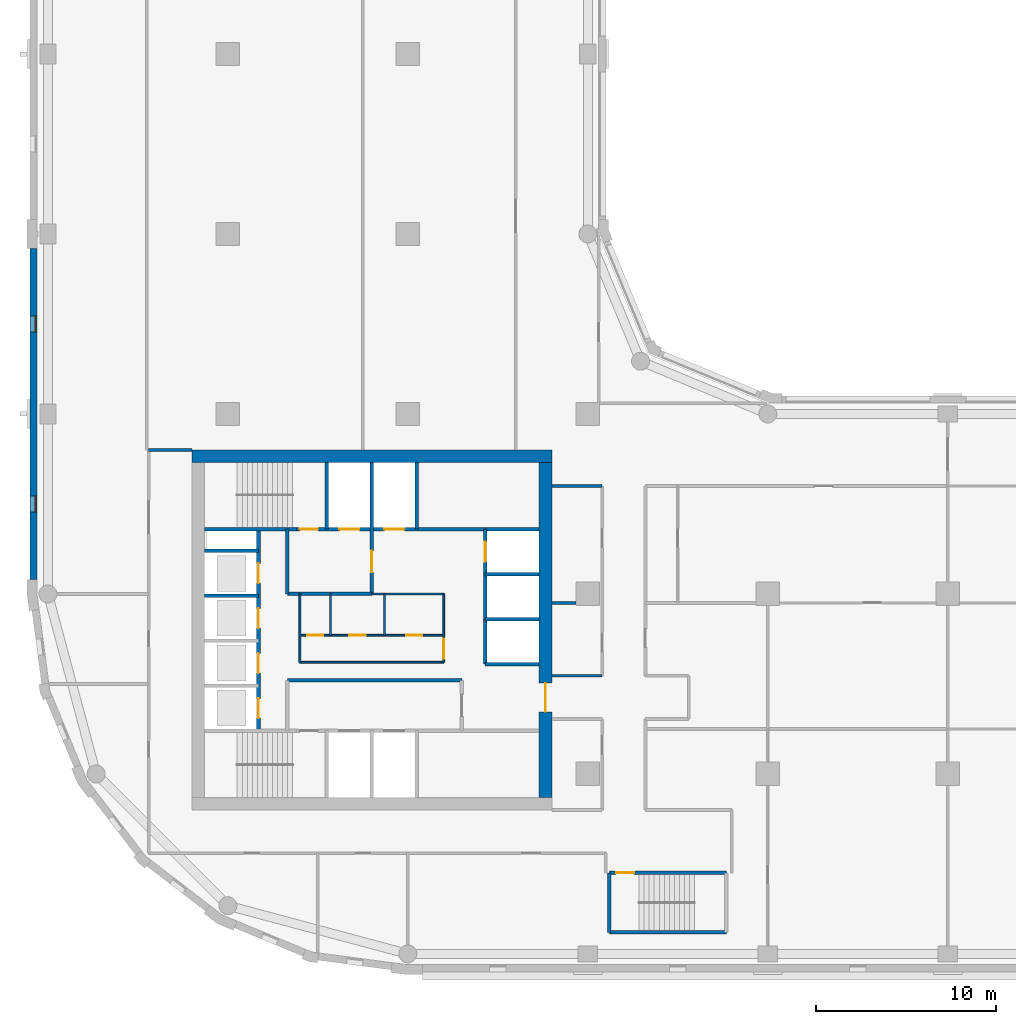
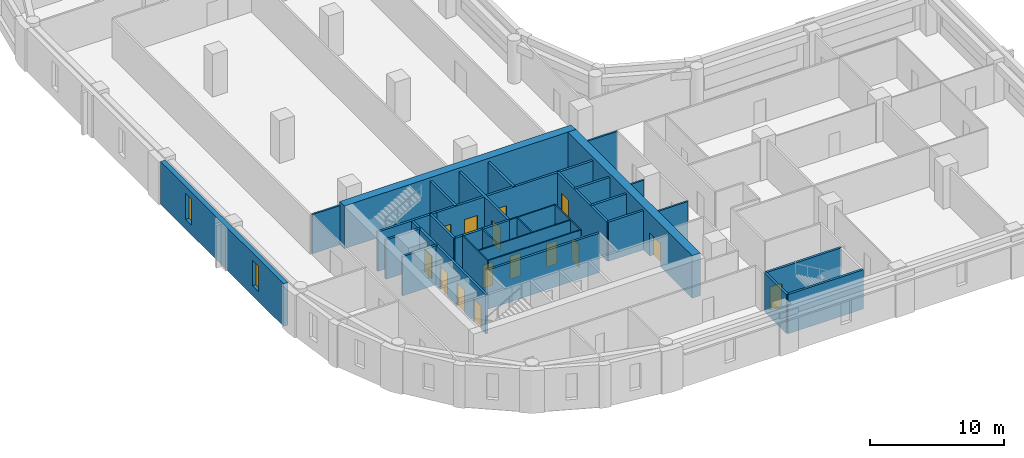
# One storey, part 3 of 9: 32 walls, 15 doors, 2 windows, 17 openings.
"""IFC4 building model written with IfcOpenShell, lengths in metres."""

from ifc_helpers import new_model, si_unit, direction, frame, frame_2d, origin, place, context, subcontext, project, spatial, rectangle, extrude, material, layer, layer_set, type_object, element, fill, save


model = new_model("IFC4")

# Units and contexts
model_context = context("Model", 3, precision=1e-05, world=origin(), true_north=direction((0.0, 1.0)))
body_context = subcontext(model_context, "Body", "Model", "MODEL_VIEW")
ifc_project = project(units=[si_unit("LENGTHUNIT", "METRE"), si_unit("AREAUNIT", "SQUARE_METRE"), si_unit("VOLUMEUNIT", "CUBIC_METRE"), si_unit("PLANEANGLEUNIT", "RADIAN"), si_unit("MASSUNIT", "GRAM", prefix="KILO")], contexts=[model_context])

# Site, building, storey
site_placement = place(None, origin())
site = spatial("IfcSite", under=ifc_project, at=site_placement, CompositionType="ELEMENT")
building_placement = place(site_placement, origin())
building = spatial("IfcBuilding", under=site, at=building_placement, Name="Qaws Garden Tower", CompositionType="ELEMENT")
storey_placement = place(building_placement, frame((0.0, 0.0, 229.199951171875)))
storey = spatial("IfcBuildingStorey", under=building, at=storey_placement, Name="L56", CompositionType="ELEMENT", Elevation=229.199951171875)

# Wall, openings, windows
ifc_material_1 = material(Name="Clay facing brick masonry", Category="masonry")
ifc_layer_1 = layer(ifc_material_1, 0.39990234375)
ifc_layer_set_1 = layer_set([ifc_layer_1], Name="Clay facing brick masonry")
wall_type_1 = type_object("IfcWallType", Name="Brick infill wall 400", PredefinedType="SOLIDWALL", material=ifc_layer_set_1)
wall_1_placement = place(storey_placement, frame((-0.800048828125, 39.199951171875, 0.0), z_axis=(0.0, 0.0, 1.0), x_axis=(0.0, -1.0, 0.0)))
wall_1 = element("IfcWall", 1, at=wall_1_placement, inside=storey, type_object=wall_type_1, Name="E-L56-infill-23", PredefinedType="SOLIDWALL", context=body_context, shape_type="SweptSolid", body=[
    extrude(rectangle(XDim=18.39990234375, YDim=0.39990234375, at=frame_2d((9.199951171875, 0.0))), origin(), (0.0, 0.0, 1.0), 3.900146484375),
])
opening_1_placement = place(wall_1_placement, frame((3.75, 0.0, 0.89990234375)))
opening_1 = element("IfcOpeningElement", 2, at=opening_1_placement, cuts=wall_1, Name="Opening W09", PredefinedType="OPENING", context=body_context, shape_type="SweptSolid", body=[
    extrude(rectangle(XDim=0.89990234375, YDim=2.35009765625, at=frame_2d((0.449951171875, 1.175048828125))), frame((0.0, 0.2099609375, 0.0), z_axis=(0.0, -1.0, 0.0), x_axis=(1.0, 0.0, 0.0)), (0.0, 0.0, 1.0), 0.419921875),
])
opening_2_placement = place(wall_1_placement, frame((13.75, 0.0, 0.89990234375)))
opening_2 = element("IfcOpeningElement", 3, at=opening_2_placement, cuts=wall_1, Name="Opening W09", PredefinedType="OPENING", context=body_context, shape_type="SweptSolid", body=[
    extrude(rectangle(XDim=0.89990234375, YDim=2.35009765625, at=frame_2d((0.449951171875, 1.175048828125))), frame((0.0, 0.2099609375, 0.0), z_axis=(0.0, -1.0, 0.0), x_axis=(1.0, 0.0, 0.0)), (0.0, 0.0, 1.0), 0.419921875),
])
ifc_material_2 = material(Name="Aluminium framed window, clear glazing", Category="aluminium")
window_type = type_object("IfcWindowType", Name="Slit window 900 x 2350", PartitioningType="SINGLE_PANEL", PredefinedType="WINDOW", material=ifc_material_2)
window_1_placement = place(opening_1_placement, origin())
window_1 = element("IfcWindow", 4, at=window_1_placement, inside=storey, type_object=window_type, Name="E-L56-window-23-0", OverallHeight=2.35009765625, OverallWidth=0.89990234375, PartitioningType="SINGLE_PANEL", PredefinedType="WINDOW", context=body_context, shape_type="SweptSolid", body=[
    extrude(rectangle(XDim=0.89990234375, YDim=2.35009765625, at=frame_2d((0.449951171875, 1.175048828125))), frame((0.0, 0.159912109375, 0.0), z_axis=(0.0, -1.0, 0.0), x_axis=(1.0, 0.0, 0.0)), (0.0, 0.0, 1.0), 0.06005859375),
])
fill(opening_1, window_1)
window_2_placement = place(opening_2_placement, origin())
window_2 = element("IfcWindow", 5, at=window_2_placement, inside=storey, type_object=window_type, Name="E-L56-window-24-0", OverallHeight=2.35009765625, OverallWidth=0.89990234375, PartitioningType="SINGLE_PANEL", PredefinedType="WINDOW", context=body_context, shape_type="SweptSolid", body=[
    extrude(rectangle(XDim=0.89990234375, YDim=2.35009765625, at=frame_2d((0.449951171875, 1.175048828125))), frame((0.0, 0.159912109375, 0.0), z_axis=(0.0, -1.0, 0.0), x_axis=(1.0, 0.0, 0.0)), (0.0, 0.0, 1.0), 0.06005859375),
])
fill(opening_2, window_2)

# Wall
ifc_material_3 = material(Name="Plasterboard")
ifc_layer_2 = layer(ifc_material_3, 0.10009765625)
ifc_layer_set_2 = layer_set([ifc_layer_2], Name="Plasterboard")
wall_type_2 = type_object("IfcWallType", Name="Core partition 100", PredefinedType="PARTITIONING", material=ifc_layer_set_2)
wall_2_placement = place(storey_placement, frame((14.0, 16.199951171875, 0.0), z_axis=(0.0, 0.0, 1.0), x_axis=(1.0, 0.0, 0.0)))
element("IfcWall", 6, at=wall_2_placement, inside=storey, type_object=wall_type_2, Name="Core partition", PredefinedType="PARTITIONING", context=body_context, shape_type="SweptSolid", body=[
    extrude(rectangle(XDim=8.0, YDim=0.10009765625, at=frame_2d((4.0, 0.0))), origin(), (0.0, 0.0, 1.0), 3.580078125),
])

# Wall, openings, doors
wall_3_placement = place(storey_placement, frame((14.0, 17.699951171875, 0.0), z_axis=(0.0, 0.0, 1.0), x_axis=(1.0, 0.0, 0.0)))
wall_3 = element("IfcWall", 7, at=wall_3_placement, inside=storey, type_object=wall_type_2, Name="Core partition", PredefinedType="PARTITIONING", context=body_context, shape_type="SweptSolid", body=[
    extrude(rectangle(XDim=8.0, YDim=0.10009765625, at=frame_2d((4.0, 0.0))), origin(), (0.0, 0.0, 1.0), 3.580078125),
])
opening_3_placement = place(wall_3_placement, frame((0.39990234375, 0.0, 0.0)))
opening_3 = element("IfcOpeningElement", 8, at=opening_3_placement, cuts=wall_3, Name="Opening WD18", PredefinedType="OPENING", context=body_context, shape_type="SweptSolid", body=[
    extrude(rectangle(XDim=0.89990234375, YDim=2.10009765625, at=frame_2d((0.449951171875, 1.050048828125))), frame((0.0, 0.06005859375, 0.0), z_axis=(0.0, -1.0, 0.0), x_axis=(1.0, 0.0, 0.0)), (0.0, 0.0, 1.0), 0.1201171875),
])
opening_4_placement = place(wall_3_placement, frame((2.75, 0.0, 0.0)))
opening_4 = element("IfcOpeningElement", 9, at=opening_4_placement, cuts=wall_3, Name="Opening WD19", PredefinedType="OPENING", context=body_context, shape_type="SweptSolid", body=[
    extrude(rectangle(XDim=0.89990234375, YDim=2.10009765625, at=frame_2d((0.449951171875, 1.050048828125))), frame((0.0, 0.06005859375, 0.0), z_axis=(0.0, -1.0, 0.0), x_axis=(1.0, 0.0, 0.0)), (0.0, 0.0, 1.0), 0.1201171875),
])
opening_5_placement = place(wall_3_placement, frame((5.89990234375, 0.0, 0.0)))
opening_5 = element("IfcOpeningElement", 10, at=opening_5_placement, cuts=wall_3, Name="Opening WD20", PredefinedType="OPENING", context=body_context, shape_type="SweptSolid", body=[
    extrude(rectangle(XDim=0.89990234375, YDim=2.10009765625, at=frame_2d((0.449951171875, 1.050048828125))), frame((0.0, 0.06005859375, 0.0), z_axis=(0.0, -1.0, 0.0), x_axis=(1.0, 0.0, 0.0)), (0.0, 0.0, 1.0), 0.1201171875),
])
ifc_material_4 = material(Name="Timber", Category="wood")
door_type_1 = type_object("IfcDoorType", Name="WC door 900x2100", OperationType="SINGLE_SWING_LEFT", PredefinedType="DOOR", material=ifc_material_4)
door_1_placement = place(opening_3_placement, origin())
door_1 = element("IfcDoor", 11, at=door_1_placement, inside=storey, type_object=door_type_1, Name="Accessible WC door", OperationType="SINGLE_SWING_RIGHT", OverallHeight=2.10009765625, OverallWidth=0.89990234375, PredefinedType="DOOR", context=body_context, shape_type="SweptSolid", body=[
    extrude(rectangle(XDim=0.89990234375, YDim=2.10009765625, at=frame_2d((0.449951171875, 1.050048828125))), frame((0.0, 0.02490234375, 0.0), z_axis=(0.0, -1.0, 0.0), x_axis=(1.0, 0.0, 0.0)), (0.0, 0.0, 1.0), 0.050048828125),
])
fill(opening_3, door_1)
door_2_placement = place(opening_4_placement, origin())
door_2 = element("IfcDoor", 12, at=door_2_placement, inside=storey, type_object=door_type_1, Name="Men's WC door", OperationType="SINGLE_SWING_RIGHT", OverallHeight=2.10009765625, OverallWidth=0.89990234375, PredefinedType="DOOR", context=body_context, shape_type="SweptSolid", body=[
    extrude(rectangle(XDim=0.89990234375, YDim=2.10009765625, at=frame_2d((0.449951171875, 1.050048828125))), frame((0.0, 0.02490234375, 0.0), z_axis=(0.0, -1.0, 0.0), x_axis=(1.0, 0.0, 0.0)), (0.0, 0.0, 1.0), 0.050048828125),
])
fill(opening_4, door_2)
door_3_placement = place(opening_5_placement, origin())
door_3 = element("IfcDoor", 13, at=door_3_placement, inside=storey, type_object=door_type_1, Name="Women's WC door", OperationType="SINGLE_SWING_RIGHT", OverallHeight=2.10009765625, OverallWidth=0.89990234375, PredefinedType="DOOR", context=body_context, shape_type="SweptSolid", body=[
    extrude(rectangle(XDim=0.89990234375, YDim=2.10009765625, at=frame_2d((0.449951171875, 1.050048828125))), frame((0.0, 0.02490234375, 0.0), z_axis=(0.0, -1.0, 0.0), x_axis=(1.0, 0.0, 0.0)), (0.0, 0.0, 1.0), 0.050048828125),
])
fill(opening_5, door_3)

# Walls
wall_4_placement = place(storey_placement, frame((18.0, 20.0, 0.0), z_axis=(0.0, 0.0, 1.0), x_axis=(1.0, 0.0, 0.0)))
element("IfcWall", 14, at=wall_4_placement, inside=storey, type_object=wall_type_2, Name="Core partition", PredefinedType="PARTITIONING", context=body_context, shape_type="SweptSolid", body=[
    extrude(rectangle(XDim=4.0, YDim=0.10009765625, at=frame_2d((2.0, 0.0))), origin(), (0.0, 0.0, 1.0), 3.580078125),
])
wall_5_placement = place(storey_placement, frame((14.0, 16.199951171875, 0.0), z_axis=(0.0, 0.0, 1.0), x_axis=(0.0, 1.0, 0.0)))
element("IfcWall", 15, at=wall_5_placement, inside=storey, type_object=wall_type_2, Name="Core partition", PredefinedType="PARTITIONING", context=body_context, shape_type="SweptSolid", body=[
    extrude(rectangle(XDim=3.800048828125, YDim=0.10009765625, at=frame_2d((1.89990234375, 0.0))), origin(), (0.0, 0.0, 1.0), 3.580078125),
])
for number, where, z_axis, x_axis, name in (
    (16, (15.699951171875, 17.699951171875, 0.0), (0.0, 0.0, 1.0), (0.0, 1.0, 0.0), "Core partition"),
    (17, (18.699951171875, 17.699951171875, 0.0), (0.0, 0.0, 1.0), (0.0, 1.0, 0.0), "Core partition"),
):
    element("IfcWall", number, at=place(storey_placement, frame(where, z_axis=z_axis, x_axis=x_axis)), inside=storey, type_object=wall_type_2, Name=name, PredefinedType="PARTITIONING", context=body_context, shape_type="SweptSolid", body=[
        extrude(rectangle(XDim=2.300048828125, YDim=0.10009765625, at=frame_2d((1.14990234375, 0.0))), origin(), (0.0, 0.0, 1.0), 3.580078125),
    ])

# Wall, opening, door
wall_6_placement = place(storey_placement, frame((22.0, 16.199951171875, 0.0), z_axis=(0.0, 0.0, 1.0), x_axis=(0.0, 1.0, 0.0)))
wall_6 = element("IfcWall", 18, at=wall_6_placement, inside=storey, type_object=wall_type_2, Name="Core partition", PredefinedType="PARTITIONING", context=body_context, shape_type="SweptSolid", body=[
    extrude(rectangle(XDim=3.800048828125, YDim=0.10009765625, at=frame_2d((1.89990234375, 0.0))), origin(), (0.0, 0.0, 1.0), 3.580078125),
])
opening_6_placement = place(wall_6_placement, frame((0.199951171875, 0.0, 0.0)))
opening_6 = element("IfcOpeningElement", 19, at=opening_6_placement, cuts=wall_6, Name="Opening WL17", PredefinedType="OPENING", context=body_context, shape_type="SweptSolid", body=[
    extrude(rectangle(XDim=1.10009765625, YDim=2.10009765625, at=frame_2d((0.550048828125, 1.050048828125))), frame((0.0, 0.06005859375, 0.0), z_axis=(0.0, -1.0, 0.0), x_axis=(1.0, 0.0, 0.0)), (0.0, 0.0, 1.0), 0.1201171875),
])
ifc_material_5 = material(Name="Timber", Category="wood")
door_type_2 = type_object("IfcDoorType", Name="WC lobby door 1100x2100", OperationType="SINGLE_SWING_LEFT", PredefinedType="DOOR", material=ifc_material_5)
door_4_placement = place(opening_6_placement, origin())
door_4 = element("IfcDoor", 20, at=door_4_placement, inside=storey, type_object=door_type_2, Name="WC lobby door", OperationType="SINGLE_SWING_RIGHT", OverallHeight=2.10009765625, OverallWidth=1.10009765625, PredefinedType="DOOR", context=body_context, shape_type="SweptSolid", body=[
    extrude(rectangle(XDim=1.10009765625, YDim=2.10009765625, at=frame_2d((0.550048828125, 1.050048828125))), frame((0.0, 0.02490234375, 0.0), z_axis=(0.0, -1.0, 0.0), x_axis=(1.0, 0.0, 0.0)), (0.0, 0.0, 1.0), 0.050048828125),
])
fill(opening_6, door_4)

# Wall
ifc_material_6 = material(Name="Concrete C70", Category="concrete")
ifc_layer_3 = layer(ifc_material_6, 0.199951171875)
ifc_layer_set_3 = layer_set([ifc_layer_3], Name="Concrete C70")
wall_type_3 = type_object("IfcWallType", Name="Core shaft wall 200 C70", PredefinedType="SHEAR", material=ifc_layer_set_3)
wall_7_placement = place(storey_placement, frame((31.199951171875, 1.199951171875, 0.0), z_axis=(0.0, 0.0, 1.0), x_axis=(1.0, 0.0, 0.0)))
element("IfcWall", 21, at=wall_7_placement, inside=storey, type_object=wall_type_3, Name="Shaft wall", PredefinedType="SHEAR", context=body_context, shape_type="SweptSolid", body=[
    extrude(rectangle(XDim=6.5, YDim=0.199951171875, at=frame_2d((3.25, 0.0))), origin(), (0.0, 0.0, 1.0), 3.580078125),
])

# Wall, opening, door
wall_8_placement = place(storey_placement, frame((31.199951171875, 4.5, 0.0), z_axis=(0.0, 0.0, 1.0), x_axis=(1.0, 0.0, 0.0)))
wall_8 = element("IfcWall", 22, at=wall_8_placement, inside=storey, type_object=wall_type_3, Name="Shaft wall", PredefinedType="SHEAR", context=body_context, shape_type="SweptSolid", body=[
    extrude(rectangle(XDim=6.5, YDim=0.199951171875, at=frame_2d((3.25, 0.0))), origin(), (0.0, 0.0, 1.0), 3.580078125),
])
opening_7_placement = place(wall_8_placement, frame((0.375, 0.0, 0.0)))
opening_7 = element("IfcOpeningElement", 23, at=opening_7_placement, cuts=wall_8, Name="Opening SD12", PredefinedType="OPENING", context=body_context, shape_type="SweptSolid", body=[
    extrude(rectangle(XDim=1.0, YDim=2.10009765625, at=frame_2d((0.5, 1.050048828125))), frame((0.0, 0.10986328125, 0.0), z_axis=(0.0, -1.0, 0.0), x_axis=(1.0, 0.0, 0.0)), (0.0, 0.0, 1.0), 0.219970703125),
])
ifc_material_7 = material(Name="Steel S235", Category="steel")
door_type_3 = type_object("IfcDoorType", Name="Stair door 1000x2100", OperationType="SINGLE_SWING_RIGHT", PredefinedType="DOOR", material=ifc_material_7)
door_5_placement = place(opening_7_placement, frame((1.0, 0.0, 0.0), z_axis=(0.0, 0.0, 1.0), x_axis=(-1.0, 0.0, 0.0)))
door_5 = element("IfcDoor", 24, at=door_5_placement, inside=storey, type_object=door_type_3, Name="Stair 5 door", OperationType="SINGLE_SWING_RIGHT", OverallHeight=2.10009765625, OverallWidth=1.0, PredefinedType="DOOR", context=body_context, shape_type="SweptSolid", body=[
    extrude(rectangle(XDim=1.0, YDim=2.10009765625, at=frame_2d((0.5, 1.050048828125))), frame((0.0, 0.02490234375, 0.0), z_axis=(0.0, -1.0, 0.0), x_axis=(1.0, 0.0, 0.0)), (0.0, 0.0, 1.0), 0.050048828125),
])
fill(opening_7, door_5)

# Walls
wall_9_placement = place(storey_placement, frame((13.300048828125, 15.199951171875, 0.0), z_axis=(0.0, 0.0, 1.0), x_axis=(1.0, 0.0, 0.0)))
element("IfcWall", 25, at=wall_9_placement, inside=storey, type_object=wall_type_3, Name="Shaft wall", PredefinedType="SHEAR", context=body_context, shape_type="SweptSolid", body=[
    extrude(rectangle(XDim=9.699951171875, YDim=0.199951171875, at=frame_2d((4.85009765625, 0.0))), origin(), (0.0, 0.0, 1.0), 3.580078125),
])
for number, where, z_axis, x_axis, name in (
    (26, (24.300048828125, 16.10009765625, 0.0), (0.0, 0.0, 1.0), (1.0, 0.0, 0.0), "Shaft wall"),
    (27, (24.300048828125, 18.60009765625, 0.0), (0.0, 0.0, 1.0), (1.0, 0.0, 0.0), "Shaft wall"),
    (28, (8.699951171875, 19.89990234375, 0.0), (0.0, 0.0, 1.0), (1.0, 0.0, 0.0), "Shaft wall"),
):
    element("IfcWall", number, at=place(storey_placement, frame(where, z_axis=z_axis, x_axis=x_axis)), inside=storey, type_object=wall_type_3, Name=name, PredefinedType="SHEAR", context=body_context, shape_type="SweptSolid", body=[
        extrude(rectangle(XDim=3.0, YDim=0.199951171875, at=frame_2d((1.5, 0.0))), origin(), (0.0, 0.0, 1.0), 3.580078125),
    ])
wall_10_placement = place(storey_placement, frame((13.300048828125, 20.0, 0.0), z_axis=(0.0, 0.0, 1.0), x_axis=(1.0, 0.0, 0.0)))
element("IfcWall", 29, at=wall_10_placement, inside=storey, type_object=wall_type_3, Name="Shaft wall", PredefinedType="SHEAR", context=body_context, shape_type="SweptSolid", body=[
    extrude(rectangle(XDim=4.699951171875, YDim=0.199951171875, at=frame_2d((2.35009765625, 0.0))), origin(), (0.0, 0.0, 1.0), 3.580078125),
])
for number, where, z_axis, x_axis, name in (
    (30, (24.300048828125, 21.10009765625, 0.0), (0.0, 0.0, 1.0), (1.0, 0.0, 0.0), "Shaft wall"),
    (31, (8.699951171875, 22.39990234375, 0.0), (0.0, 0.0, 1.0), (1.0, 0.0, 0.0), "Shaft wall"),
):
    element("IfcWall", number, at=place(storey_placement, frame(where, z_axis=z_axis, x_axis=x_axis)), inside=storey, type_object=wall_type_3, Name=name, PredefinedType="SHEAR", context=body_context, shape_type="SweptSolid", body=[
        extrude(rectangle(XDim=3.0, YDim=0.199951171875, at=frame_2d((1.5, 0.0))), origin(), (0.0, 0.0, 1.0), 3.580078125),
    ])
wall_11_placement = place(storey_placement, frame((8.699951171875, 23.60009765625, 0.0), z_axis=(0.0, 0.0, 1.0), x_axis=(1.0, 0.0, 0.0)))
element("IfcWall", 32, at=wall_11_placement, inside=storey, type_object=wall_type_3, Name="Shaft wall", PredefinedType="SHEAR", context=body_context, shape_type="SweptSolid", body=[
    extrude(rectangle(XDim=5.10009765625, YDim=0.199951171875, at=frame_2d((2.550048828125, 0.0))), origin(), (0.0, 0.0, 1.0), 3.580078125),
])

# Wall, openings, doors
wall_12_placement = place(storey_placement, frame((13.800048828125, 23.60009765625, 0.0), z_axis=(0.0, 0.0, 1.0), x_axis=(1.0, 0.0, 0.0)))
wall_12 = element("IfcWall", 33, at=wall_12_placement, inside=storey, type_object=wall_type_3, Name="Shaft wall", PredefinedType="SHEAR", context=body_context, shape_type="SweptSolid", body=[
    extrude(rectangle(XDim=13.5, YDim=0.199951171875, at=frame_2d((6.75, 0.0))), origin(), (0.0, 0.0, 1.0), 3.580078125),
])
opening_8_placement = place(wall_12_placement, frame((2.39990234375, 0.0, 0.0)))
opening_8 = element("IfcOpeningElement", 34, at=opening_8_placement, cuts=wall_12, Name="Opening LD08", PredefinedType="OPENING", context=body_context, shape_type="SweptSolid", body=[
    extrude(rectangle(XDim=1.10009765625, YDim=2.10009765625, at=frame_2d((0.550048828125, 1.050048828125))), frame((0.0, 0.10986328125, 0.0), z_axis=(0.0, -1.0, 0.0), x_axis=(1.0, 0.0, 0.0)), (0.0, 0.0, 1.0), 0.219970703125),
])
opening_9_placement = place(wall_12_placement, frame((4.89990234375, 0.0, 0.0)))
opening_9 = element("IfcOpeningElement", 35, at=opening_9_placement, cuts=wall_12, Name="Opening LD09", PredefinedType="OPENING", context=body_context, shape_type="SweptSolid", body=[
    extrude(rectangle(XDim=1.10009765625, YDim=2.10009765625, at=frame_2d((0.550048828125, 1.050048828125))), frame((0.0, 0.10986328125, 0.0), z_axis=(0.0, -1.0, 0.0), x_axis=(1.0, 0.0, 0.0)), (0.0, 0.0, 1.0), 0.219970703125),
])
opening_10_placement = place(wall_12_placement, frame((0.199951171875, 0.0, 0.0)))
opening_10 = element("IfcOpeningElement", 36, at=opening_10_placement, cuts=wall_12, Name="Opening SD11", PredefinedType="OPENING", context=body_context, shape_type="SweptSolid", body=[
    extrude(rectangle(XDim=1.0, YDim=2.10009765625, at=frame_2d((0.5, 1.050048828125))), frame((0.0, 0.10986328125, 0.0), z_axis=(0.0, -1.0, 0.0), x_axis=(1.0, 0.0, 0.0)), (0.0, 0.0, 1.0), 0.219970703125),
])
ifc_material_8 = material(Name="Steel S235", Category="steel")
door_type_4 = type_object("IfcDoorType", Name="Landing door 1100x2100", OperationType="DOUBLE_DOOR_SLIDING", PredefinedType="DOOR", material=ifc_material_8)
door_6_placement = place(opening_8_placement, origin())
door_6 = element("IfcDoor", 37, at=door_6_placement, inside=storey, type_object=door_type_4, Name="Lift FF3 landing door", OperationType="DOUBLE_DOOR_SLIDING", OverallHeight=2.10009765625, OverallWidth=1.10009765625, PredefinedType="DOOR", context=body_context, shape_type="SweptSolid", body=[
    extrude(rectangle(XDim=1.10009765625, YDim=2.10009765625, at=frame_2d((0.550048828125, 1.050048828125))), frame((0.0, 0.02490234375, 0.0), z_axis=(0.0, -1.0, 0.0), x_axis=(1.0, 0.0, 0.0)), (0.0, 0.0, 1.0), 0.050048828125),
])
fill(opening_8, door_6)
door_7_placement = place(opening_9_placement, origin())
door_7 = element("IfcDoor", 38, at=door_7_placement, inside=storey, type_object=door_type_4, Name="Lift SV2 landing door", OperationType="DOUBLE_DOOR_SLIDING", OverallHeight=2.10009765625, OverallWidth=1.10009765625, PredefinedType="DOOR", context=body_context, shape_type="SweptSolid", body=[
    extrude(rectangle(XDim=1.10009765625, YDim=2.10009765625, at=frame_2d((0.550048828125, 1.050048828125))), frame((0.0, 0.02490234375, 0.0), z_axis=(0.0, -1.0, 0.0), x_axis=(1.0, 0.0, 0.0)), (0.0, 0.0, 1.0), 0.050048828125),
])
fill(opening_9, door_7)
door_8_placement = place(opening_10_placement, origin())
door_8 = element("IfcDoor", 39, at=door_8_placement, inside=storey, type_object=door_type_3, Name="Stair 4 door", OperationType="SINGLE_SWING_RIGHT", OverallHeight=2.10009765625, OverallWidth=1.0, PredefinedType="DOOR", context=body_context, shape_type="SweptSolid", body=[
    extrude(rectangle(XDim=1.0, YDim=2.10009765625, at=frame_2d((0.5, 1.050048828125))), frame((0.0, 0.02490234375, 0.0), z_axis=(0.0, -1.0, 0.0), x_axis=(1.0, 0.0, 0.0)), (0.0, 0.0, 1.0), 0.050048828125),
])
fill(opening_10, door_8)

wall_13_placement = place(storey_placement, frame((11.699951171875, 12.39990234375, 0.0), z_axis=(0.0, 0.0, 1.0), x_axis=(0.0, 1.0, 0.0)))
wall_13 = element("IfcWall", 40, at=wall_13_placement, inside=storey, type_object=wall_type_3, Name="Shaft wall", PredefinedType="SHEAR", context=body_context, shape_type="SweptSolid", body=[
    extrude(rectangle(XDim=11.2001953125, YDim=0.199951171875, at=frame_2d((5.60009765625, 0.0))), origin(), (0.0, 0.0, 1.0), 3.580078125),
])
opening_11_placement = place(wall_13_placement, frame((0.699951171875, 0.0, 0.0)))
opening_11 = element("IfcOpeningElement", 41, at=opening_11_placement, cuts=wall_13, Name="Opening LD01", PredefinedType="OPENING", context=body_context, shape_type="SweptSolid", body=[
    extrude(rectangle(XDim=1.10009765625, YDim=2.10009765625, at=frame_2d((0.550048828125, 1.050048828125))), frame((0.0, 0.10986328125, 0.0), z_axis=(0.0, -1.0, 0.0), x_axis=(1.0, 0.0, 0.0)), (0.0, 0.0, 1.0), 0.219970703125),
])
opening_12_placement = place(wall_13_placement, frame((3.199951171875, 0.0, 0.0)))
opening_12 = element("IfcOpeningElement", 42, at=opening_12_placement, cuts=wall_13, Name="Opening LD02", PredefinedType="OPENING", context=body_context, shape_type="SweptSolid", body=[
    extrude(rectangle(XDim=1.10009765625, YDim=2.10009765625, at=frame_2d((0.550048828125, 1.050048828125))), frame((0.0, 0.10986328125, 0.0), z_axis=(0.0, -1.0, 0.0), x_axis=(1.0, 0.0, 0.0)), (0.0, 0.0, 1.0), 0.219970703125),
])
opening_13_placement = place(wall_13_placement, frame((5.699951171875, 0.0, 0.0)))
opening_13 = element("IfcOpeningElement", 43, at=opening_13_placement, cuts=wall_13, Name="Opening LD03", PredefinedType="OPENING", context=body_context, shape_type="SweptSolid", body=[
    extrude(rectangle(XDim=1.10009765625, YDim=2.10009765625, at=frame_2d((0.550048828125, 1.050048828125))), frame((0.0, 0.10986328125, 0.0), z_axis=(0.0, -1.0, 0.0), x_axis=(1.0, 0.0, 0.0)), (0.0, 0.0, 1.0), 0.219970703125),
])
opening_14_placement = place(wall_13_placement, frame((8.199951171875, 0.0, 0.0)))
opening_14 = element("IfcOpeningElement", 44, at=opening_14_placement, cuts=wall_13, Name="Opening LD04", PredefinedType="OPENING", context=body_context, shape_type="SweptSolid", body=[
    extrude(rectangle(XDim=1.10009765625, YDim=2.10009765625, at=frame_2d((0.550048828125, 1.050048828125))), frame((0.0, 0.10986328125, 0.0), z_axis=(0.0, -1.0, 0.0), x_axis=(1.0, 0.0, 0.0)), (0.0, 0.0, 1.0), 0.219970703125),
])
door_9_placement = place(opening_11_placement, origin())
door_9 = element("IfcDoor", 45, at=door_9_placement, inside=storey, type_object=door_type_4, Name="Lift W1 landing door", OperationType="DOUBLE_DOOR_SLIDING", OverallHeight=2.10009765625, OverallWidth=1.10009765625, PredefinedType="DOOR", context=body_context, shape_type="SweptSolid", body=[
    extrude(rectangle(XDim=1.10009765625, YDim=2.10009765625, at=frame_2d((0.550048828125, 1.050048828125))), frame((0.0, 0.02490234375, 0.0), z_axis=(0.0, -1.0, 0.0), x_axis=(1.0, 0.0, 0.0)), (0.0, 0.0, 1.0), 0.050048828125),
])
fill(opening_11, door_9)
door_10_placement = place(opening_12_placement, origin())
door_10 = element("IfcDoor", 46, at=door_10_placement, inside=storey, type_object=door_type_4, Name="Lift W2 landing door", OperationType="DOUBLE_DOOR_SLIDING", OverallHeight=2.10009765625, OverallWidth=1.10009765625, PredefinedType="DOOR", context=body_context, shape_type="SweptSolid", body=[
    extrude(rectangle(XDim=1.10009765625, YDim=2.10009765625, at=frame_2d((0.550048828125, 1.050048828125))), frame((0.0, 0.02490234375, 0.0), z_axis=(0.0, -1.0, 0.0), x_axis=(1.0, 0.0, 0.0)), (0.0, 0.0, 1.0), 0.050048828125),
])
fill(opening_12, door_10)
door_11_placement = place(opening_13_placement, origin())
door_11 = element("IfcDoor", 47, at=door_11_placement, inside=storey, type_object=door_type_4, Name="Lift W3 landing door", OperationType="DOUBLE_DOOR_SLIDING", OverallHeight=2.10009765625, OverallWidth=1.10009765625, PredefinedType="DOOR", context=body_context, shape_type="SweptSolid", body=[
    extrude(rectangle(XDim=1.10009765625, YDim=2.10009765625, at=frame_2d((0.550048828125, 1.050048828125))), frame((0.0, 0.02490234375, 0.0), z_axis=(0.0, -1.0, 0.0), x_axis=(1.0, 0.0, 0.0)), (0.0, 0.0, 1.0), 0.050048828125),
])
fill(opening_13, door_11)
door_12_placement = place(opening_14_placement, origin())
door_12 = element("IfcDoor", 48, at=door_12_placement, inside=storey, type_object=door_type_4, Name="Lift W4 landing door", OperationType="DOUBLE_DOOR_SLIDING", OverallHeight=2.10009765625, OverallWidth=1.10009765625, PredefinedType="DOOR", context=body_context, shape_type="SweptSolid", body=[
    extrude(rectangle(XDim=1.10009765625, YDim=2.10009765625, at=frame_2d((0.550048828125, 1.050048828125))), frame((0.0, 0.02490234375, 0.0), z_axis=(0.0, -1.0, 0.0), x_axis=(1.0, 0.0, 0.0)), (0.0, 0.0, 1.0), 0.050048828125),
])
fill(opening_14, door_12)

# Walls
wall_14_placement = place(storey_placement, frame((13.300048828125, 20.0, 0.0), z_axis=(0.0, 0.0, 1.0), x_axis=(0.0, 1.0, 0.0)))
element("IfcWall", 49, at=wall_14_placement, inside=storey, type_object=wall_type_3, Name="Shaft wall", PredefinedType="SHEAR", context=body_context, shape_type="SweptSolid", body=[
    extrude(rectangle(XDim=3.60009765625, YDim=0.199951171875, at=frame_2d((1.800048828125, 0.0))), origin(), (0.0, 0.0, 1.0), 3.580078125),
])
wall_15_placement = place(storey_placement, frame((15.5, 23.60009765625, 0.0), z_axis=(0.0, 0.0, 1.0), x_axis=(0.0, 1.0, 0.0)))
element("IfcWall", 50, at=wall_15_placement, inside=storey, type_object=wall_type_3, Name="Shaft wall", PredefinedType="SHEAR", context=body_context, shape_type="SweptSolid", body=[
    extrude(rectangle(XDim=3.699951171875, YDim=0.199951171875, at=frame_2d((1.85009765625, 0.0))), origin(), (0.0, 0.0, 1.0), 3.580078125),
])

# Wall, opening, door
wall_16_placement = place(storey_placement, frame((18.0, 20.0, 0.0), z_axis=(0.0, 0.0, 1.0), x_axis=(0.0, 1.0, 0.0)))
wall_16 = element("IfcWall", 51, at=wall_16_placement, inside=storey, type_object=wall_type_3, Name="Shaft wall", PredefinedType="SHEAR", context=body_context, shape_type="SweptSolid", body=[
    extrude(rectangle(XDim=7.300048828125, YDim=0.199951171875, at=frame_2d((3.64990234375, 0.0))), origin(), (0.0, 0.0, 1.0), 3.580078125),
])
opening_15_placement = place(wall_16_placement, frame((1.199951171875, 0.0, 0.0)))
opening_15 = element("IfcOpeningElement", 52, at=opening_15_placement, cuts=wall_16, Name="Opening FD16", PredefinedType="OPENING", context=body_context, shape_type="SweptSolid", body=[
    extrude(rectangle(XDim=1.199951171875, YDim=2.10009765625, at=frame_2d((0.60009765625, 1.050048828125))), frame((0.0, 0.10986328125, 0.0), z_axis=(0.0, -1.0, 0.0), x_axis=(1.0, 0.0, 0.0)), (0.0, 0.0, 1.0), 0.219970703125),
])
ifc_material_9 = material(Name="Steel S235", Category="steel")
door_type_5 = type_object("IfcDoorType", Name="Lobby door 1200x2100", OperationType="DOUBLE_DOOR_SINGLE_SWING", PredefinedType="DOOR", material=ifc_material_9)
door_13_placement = place(opening_15_placement, origin())
door_13 = element("IfcDoor", 53, at=door_13_placement, inside=storey, type_object=door_type_5, Name="Fire-fighting lobby door", OperationType="DOUBLE_DOOR_SINGLE_SWING", OverallHeight=2.10009765625, OverallWidth=1.199951171875, PredefinedType="DOOR", context=body_context, shape_type="SweptSolid", body=[
    extrude(rectangle(XDim=1.199951171875, YDim=2.10009765625, at=frame_2d((0.60009765625, 1.050048828125))), frame((0.0, 0.02490234375, 0.0), z_axis=(0.0, -1.0, 0.0), x_axis=(1.0, 0.0, 0.0)), (0.0, 0.0, 1.0), 0.050048828125),
])
fill(opening_15, door_13)

# Wall
wall_17_placement = place(storey_placement, frame((20.5, 23.60009765625, 0.0), z_axis=(0.0, 0.0, 1.0), x_axis=(0.0, 1.0, 0.0)))
element("IfcWall", 54, at=wall_17_placement, inside=storey, type_object=wall_type_3, Name="Shaft wall", PredefinedType="SHEAR", context=body_context, shape_type="SweptSolid", body=[
    extrude(rectangle(XDim=3.699951171875, YDim=0.199951171875, at=frame_2d((1.85009765625, 0.0))), origin(), (0.0, 0.0, 1.0), 3.580078125),
])

# Wall, opening, door
wall_18_placement = place(storey_placement, frame((24.300048828125, 16.10009765625, 0.0), z_axis=(0.0, 0.0, 1.0), x_axis=(0.0, 1.0, 0.0)))
wall_18 = element("IfcWall", 55, at=wall_18_placement, inside=storey, type_object=wall_type_3, Name="Shaft wall", PredefinedType="SHEAR", context=body_context, shape_type="SweptSolid", body=[
    extrude(rectangle(XDim=7.5, YDim=0.199951171875, at=frame_2d((3.75, 0.0))), origin(), (0.0, 0.0, 1.0), 3.580078125),
])
opening_16_placement = place(wall_18_placement, frame((5.699951171875, 0.0, 0.0)))
opening_16 = element("IfcOpeningElement", 56, at=opening_16_placement, cuts=wall_18, Name="Opening LD05", PredefinedType="OPENING", context=body_context, shape_type="SweptSolid", body=[
    extrude(rectangle(XDim=1.10009765625, YDim=2.10009765625, at=frame_2d((0.550048828125, 1.050048828125))), frame((0.0, 0.10986328125, 0.0), z_axis=(0.0, -1.0, 0.0), x_axis=(1.0, 0.0, 0.0)), (0.0, 0.0, 1.0), 0.219970703125),
])
door_14_placement = place(opening_16_placement, origin())
door_14 = element("IfcDoor", 57, at=door_14_placement, inside=storey, type_object=door_type_4, Name="Lift E3 landing door", OperationType="DOUBLE_DOOR_SLIDING", OverallHeight=2.10009765625, OverallWidth=1.10009765625, PredefinedType="DOOR", context=body_context, shape_type="SweptSolid", body=[
    extrude(rectangle(XDim=1.10009765625, YDim=2.10009765625, at=frame_2d((0.550048828125, 1.050048828125))), frame((0.0, 0.02490234375, 0.0), z_axis=(0.0, -1.0, 0.0), x_axis=(1.0, 0.0, 0.0)), (0.0, 0.0, 1.0), 0.050048828125),
])
fill(opening_16, door_14)

# Wall
wall_19_placement = place(storey_placement, frame((31.199951171875, 1.199951171875, 0.0), z_axis=(0.0, 0.0, 1.0), x_axis=(0.0, 1.0, 0.0)))
element("IfcWall", 58, at=wall_19_placement, inside=storey, type_object=wall_type_3, Name="Shaft wall", PredefinedType="SHEAR", context=body_context, shape_type="SweptSolid", body=[
    extrude(rectangle(XDim=3.300048828125, YDim=0.199951171875, at=frame_2d((1.64990234375, 0.0))), origin(), (0.0, 0.0, 1.0), 3.580078125),
])

# Wall, opening, door
ifc_material_10 = material(Name="Concrete C70", Category="concrete")
ifc_layer_4 = layer(ifc_material_10, 0.699951171875)
ifc_layer_set_4 = layer_set([ifc_layer_4], Name="Concrete C70")
wall_type_4 = type_object("IfcWallType", Name="Core wall 700 C70", PredefinedType="SHEAR", material=ifc_layer_set_4)
wall_20_placement = place(storey_placement, frame((27.64990234375, 8.699951171875, 0.0), z_axis=(0.0, 0.0, 1.0), x_axis=(0.0, 1.0, 0.0)))
wall_20 = element("IfcWall", 59, at=wall_20_placement, inside=storey, type_object=wall_type_4, Name="Core wall L56 east", PredefinedType="SHEAR", context=body_context, shape_type="SweptSolid", body=[
    extrude(rectangle(XDim=18.60009765625, YDim=0.699951171875, at=frame_2d((9.300048828125, 0.0))), origin(), (0.0, 0.0, 1.0), 3.900146484375),
])
opening_17_placement = place(wall_20_placement, frame((4.75, 0.0, 0.0)))
opening_17 = element("IfcOpeningElement", 60, at=opening_17_placement, cuts=wall_20, Name="Opening ED21", PredefinedType="OPENING", context=body_context, shape_type="SweptSolid", body=[
    extrude(rectangle(XDim=1.60009765625, YDim=2.10009765625, at=frame_2d((0.800048828125, 1.050048828125))), frame((0.0, 0.35986328125, 0.0), z_axis=(0.0, -1.0, 0.0), x_axis=(1.0, 0.0, 0.0)), (0.0, 0.0, 1.0), 0.719970703125),
])
ifc_material_11 = material(Name="Steel S235", Category="steel")
door_type_6 = type_object("IfcDoorType", Name="Core entrance door 1600x2100", OperationType="DOUBLE_DOOR_SINGLE_SWING", PredefinedType="DOOR", material=ifc_material_11)
door_15_placement = place(opening_17_placement, origin())
door_15 = element("IfcDoor", 61, at=door_15_placement, inside=storey, type_object=door_type_6, Name="Core entrance door", OperationType="DOUBLE_DOOR_SINGLE_SWING", OverallHeight=2.10009765625, OverallWidth=1.60009765625, PredefinedType="DOOR", context=body_context, shape_type="SweptSolid", body=[
    extrude(rectangle(XDim=1.60009765625, YDim=2.10009765625, at=frame_2d((0.800048828125, 1.050048828125))), frame((0.0, 0.02490234375, 0.0), z_axis=(0.0, -1.0, 0.0), x_axis=(1.0, 0.0, 0.0)), (0.0, 0.0, 1.0), 0.050048828125),
])
fill(opening_17, door_15)

# Walls
wall_21_placement = place(storey_placement, frame((28.0, 27.64990234375, 0.0), z_axis=(0.0, 0.0, 1.0), x_axis=(-1.0, 0.0, 0.0)))
element("IfcWall", 62, at=wall_21_placement, inside=storey, type_object=wall_type_4, Name="Core wall L56 north", PredefinedType="SHEAR", context=body_context, shape_type="SweptSolid", body=[
    extrude(rectangle(XDim=20.0, YDim=0.699951171875, at=frame_2d((10.0, 0.0))), origin(), (0.0, 0.0, 1.0), 3.900146484375),
])
ifc_material_12 = material(Name="Gypsum board partition")
ifc_layer_5 = layer(ifc_material_12, 0.14990234375)
ifc_layer_set_5 = layer_set([ifc_layer_5], Name="Gypsum board partition")
wall_type_5 = type_object("IfcWallType", Name="PARTITION 150 EI 60", PredefinedType="PARTITIONING", material=ifc_layer_set_5)
wall_22_placement = place(storey_placement, frame((28.0, 15.449951171875, 0.0), z_axis=(0.0, 0.0, 1.0), x_axis=(1.0, 0.0, 0.0)))
element("IfcWall", 63, at=wall_22_placement, inside=storey, type_object=wall_type_5, Name="O-L56-wall-037", PredefinedType="PARTITIONING", context=body_context, shape_type="SweptSolid", body=[
    extrude(rectangle(XDim=2.800048828125, YDim=0.14990234375, at=frame_2d((1.39990234375, 0.0))), origin(), (0.0, 0.0, 1.0), 3.580078125),
])
wall_23_placement = place(storey_placement, frame((28.0, 19.5, 0.0), z_axis=(0.0, 0.0, 1.0), x_axis=(1.0, 0.0, 0.0)))
element("IfcWall", 64, at=wall_23_placement, inside=storey, type_object=wall_type_5, Name="O-L56-wall-039", PredefinedType="PARTITIONING", context=body_context, shape_type="SweptSolid", body=[
    extrude(rectangle(XDim=1.35009765625, YDim=0.14990234375, at=frame_2d((0.675048828125, 0.0))), origin(), (0.0, 0.0, 1.0), 3.580078125),
])
wall_24_placement = place(storey_placement, frame((28.0, 26.0, 0.0), z_axis=(0.0, 0.0, 1.0), x_axis=(1.0, 0.0, 0.0)))
element("IfcWall", 65, at=wall_24_placement, inside=storey, type_object=wall_type_5, Name="O-L56-wall-042", PredefinedType="PARTITIONING", context=body_context, shape_type="SweptSolid", body=[
    extrude(rectangle(XDim=2.800048828125, YDim=0.14990234375, at=frame_2d((1.39990234375, 0.0))), origin(), (0.0, 0.0, 1.0), 3.580078125),
])
wall_25_placement = place(storey_placement, frame((5.60009765625, 28.0, 0.0), z_axis=(0.0, 0.0, 1.0), x_axis=(1.0, 0.0, 0.0)))
element("IfcWall", 66, at=wall_25_placement, inside=storey, type_object=wall_type_5, Name="O-L56-wall-044", PredefinedType="PARTITIONING", context=body_context, shape_type="SweptSolid", body=[
    extrude(rectangle(XDim=2.39990234375, YDim=0.14990234375, at=frame_2d((1.199951171875, 0.0))), origin(), (0.0, 0.0, 1.0), 3.580078125),
])

save(model, "model.ifc")
